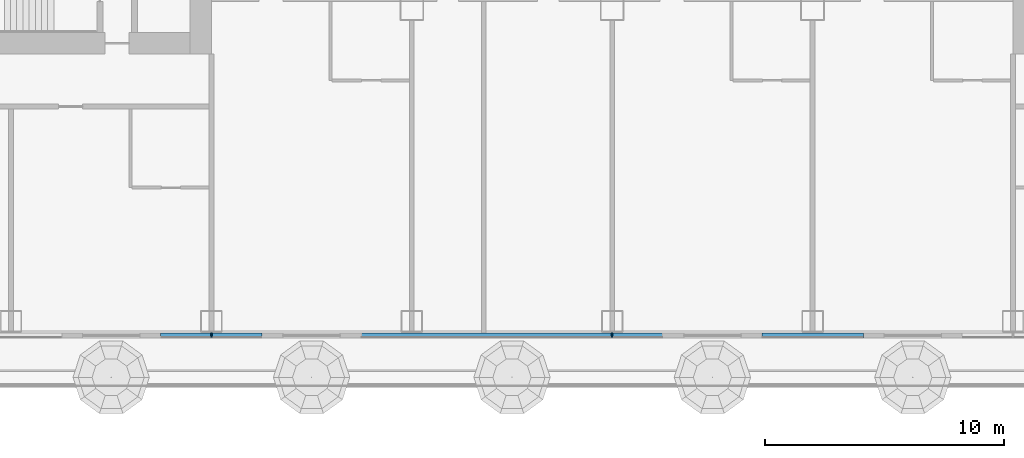
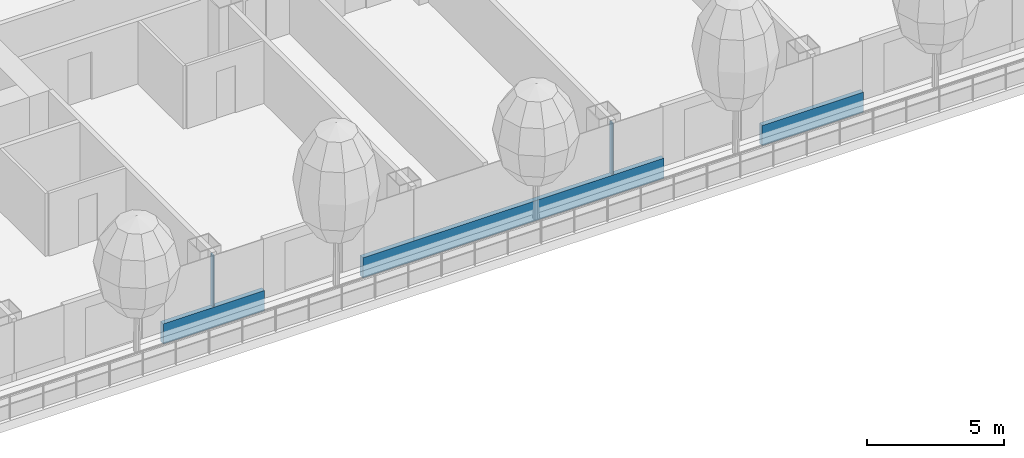
# One storey, part 4 of 35: 5 members, 1 element without a shape of its own.
"""IFC4 building model written with IfcOpenShell, lengths in metres."""

from ifc_helpers import new_model, si_unit, direction, frame, origin, origin_2d, place, context, subcontext, project, spatial, rectangle, extrude, material, layer, layer_set, material_profile, profile_set, type_object, element, aggregate, save


model = new_model("IFC4")

# Units and contexts
model_context = context("Model", 3, precision=1e-05, world=origin(), true_north=direction((0.0, 1.0)))
body_context = subcontext(model_context, "Body", "Model", "MODEL_VIEW")
ifc_project = project(units=[si_unit("LENGTHUNIT", "METRE"), si_unit("AREAUNIT", "SQUARE_METRE"), si_unit("VOLUMEUNIT", "CUBIC_METRE"), si_unit("PLANEANGLEUNIT", "RADIAN"), si_unit("MASSUNIT", "GRAM", prefix="KILO")], contexts=[model_context])

# Site, building, storey
site_placement = place(None, origin())
site = spatial("IfcSite", under=ifc_project, at=site_placement, CompositionType="ELEMENT")
building_placement = place(site_placement, origin())
building = spatial("IfcBuilding", under=site, at=building_placement, Name="Hakoniwa Tower and Hamabe Station Hall", CompositionType="ELEMENT")
storey_placement = place(building_placement, frame((0.0, 0.0, 51.800048828125)))
storey = spatial("IfcBuildingStorey", under=building, at=storey_placement, Name="L14", CompositionType="ELEMENT", Elevation=51.800048828125)

# Curtain wall, members
ifc_material_1 = material(Name="Dark low-e laminated glass", Category="glass")
ifc_layer = layer(ifc_material_1, 0.199951171875)
ifc_layer_set = layer_set([ifc_layer], Name="CW-1 UNITISED GUEST")
curtain_wall_type = type_object("IfcCurtainWallType", Name="CW-1 UNITISED GUEST", PredefinedType="NOTDEFINED", material=ifc_layer_set)
curtain_wall_placement = place(storey_placement, origin())
curtain_wall = element("IfcCurtainWall", 1, at=curtain_wall_placement, inside=storey, type_object=curtain_wall_type, Name="CW-1 curtain wall", PredefinedType="NOTDEFINED")
ifc_material_2 = material(Name="Aluminium 6063-T5 black anodised", Category="aluminium")
ifc_material_profile_1 = material_profile(ifc_material_2, rectangle(XDim=0.199951171875, YDim=0.89990234375, at=origin_2d()), Name="CW SLAB-EDGE BAND 900X200")
ifc_profile_set_1 = profile_set([ifc_material_profile_1], Name="Aluminium 6063-T5 black anodised")
member_type_1 = type_object("IfcMemberType", Name="CW SLAB-EDGE BAND 900X200", PredefinedType="USERDEFINED", material=ifc_profile_set_1)
member_1_placement = place(storey_placement, frame((-18.929931640625, -20.199951171875, -0.10009765625), z_axis=(1.0, 0.0, 0.0), x_axis=(0.0, 1.0, 0.0)))
member_1 = element("IfcMember", 2, at=member_1_placement, type_object=member_type_1, Name="CW-1 transom", ObjectType="TRANSOM", PredefinedType="USERDEFINED", context=body_context, shape_type="SweptSolid", body=[
    extrude(rectangle(XDim=0.199951171875, YDim=0.89990234375, at=origin_2d()), origin(), (0.0, 0.0, 1.0), 4.260009765625),
])
member_2_placement = place(storey_placement, frame((-10.530029296875, -20.199951171875, -0.10009765625), z_axis=(1.0, 0.0, 0.0), x_axis=(0.0, 1.0, 0.0)))
member_2 = element("IfcMember", 3, at=member_2_placement, type_object=member_type_1, Name="CW-1 transom", ObjectType="TRANSOM", PredefinedType="USERDEFINED", context=body_context, shape_type="SweptSolid", body=[
    extrude(rectangle(XDim=0.199951171875, YDim=0.89990234375, at=origin_2d()), origin(), (0.0, 0.0, 1.0), 12.659912109375),
])
member_3_placement = place(storey_placement, frame((6.27001953125, -20.199951171875, -0.10009765625), z_axis=(1.0, 0.0, 0.0), x_axis=(0.0, 1.0, 0.0)))
member_3 = element("IfcMember", 4, at=member_3_placement, type_object=member_type_1, Name="CW-1 transom", ObjectType="TRANSOM", PredefinedType="USERDEFINED", context=body_context, shape_type="SweptSolid", body=[
    extrude(rectangle(XDim=0.199951171875, YDim=0.89990234375, at=origin_2d()), origin(), (0.0, 0.0, 1.0), 4.260009765625),
])
ifc_material_3 = material(Name="Aluminium 6063-T5 black anodised", Category="aluminium")
ifc_material_profile_2 = material_profile(ifc_material_3, rectangle(XDim=0.06005859375, YDim=0.179931640625, at=origin_2d()), Name="CW-1 MULLION 60X180")
ifc_profile_set_2 = profile_set([ifc_material_profile_2], Name="Aluminium 6063-T5 black anodised")
member_type_2 = type_object("IfcMemberType", Name="CW-1 MULLION 60X180", PredefinedType="MULLION", material=ifc_profile_set_2)
member_4_placement = place(storey_placement, frame((-16.800048828125, -20.181884765625, 0.349853515625), z_axis=(0.0, 0.0, 1.0), x_axis=(1.0, 0.0, 0.0)))
member_4 = element("IfcMember", 5, at=member_4_placement, type_object=member_type_2, Name="CW-1 mullion", PredefinedType="MULLION", context=body_context, shape_type="SweptSolid", body=[
    extrude(rectangle(XDim=0.06005859375, YDim=0.179931640625, at=origin_2d()), origin(), (0.0, 0.0, 1.0), 2.300048828125),
])
member_5_placement = place(storey_placement, frame((0.0, -20.181884765625, 0.349853515625), z_axis=(0.0, 0.0, 1.0), x_axis=(1.0, 0.0, 0.0)))
member_5 = element("IfcMember", 6, at=member_5_placement, type_object=member_type_2, Name="CW-1 mullion", PredefinedType="MULLION", context=body_context, shape_type="SweptSolid", body=[
    extrude(rectangle(XDim=0.06005859375, YDim=0.179931640625, at=origin_2d()), origin(), (0.0, 0.0, 1.0), 2.300048828125),
])
aggregate(curtain_wall, [member_4, member_5, member_1, member_2, member_3])

save(model, "model.ifc")
